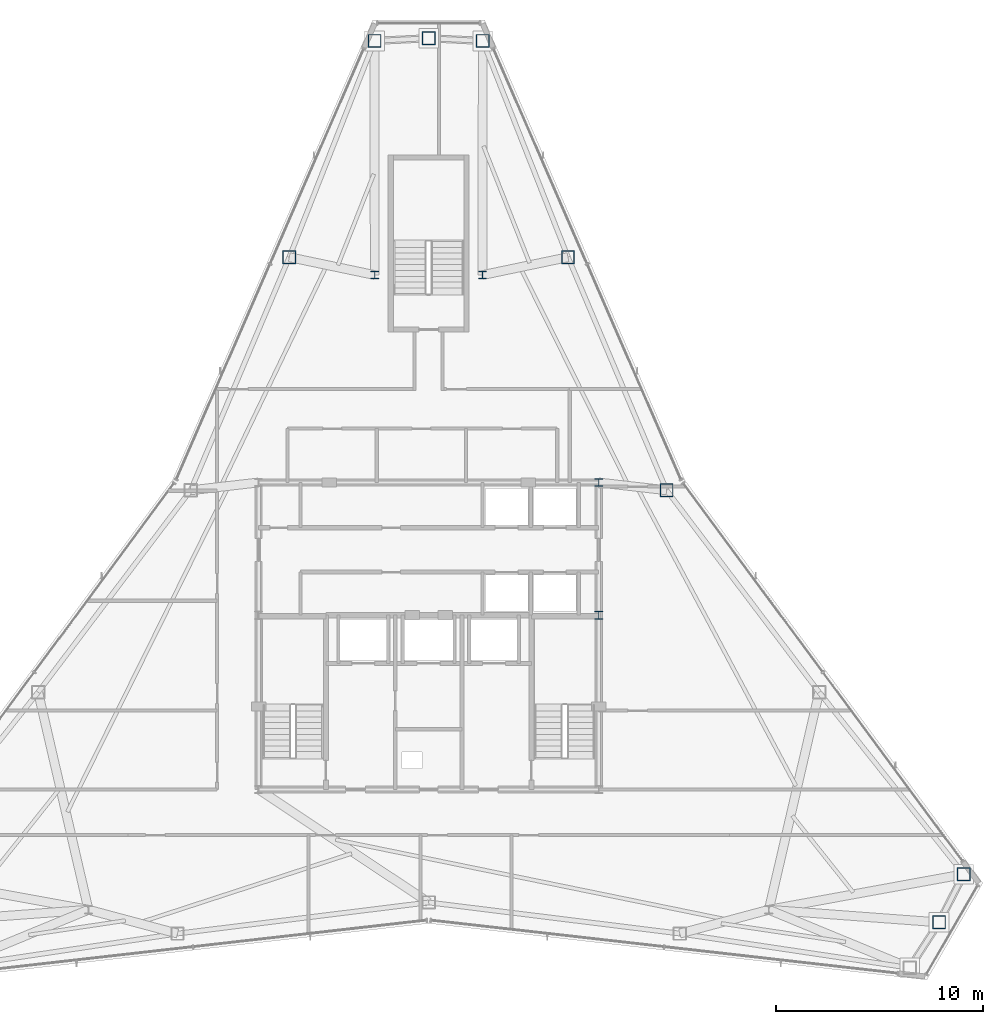
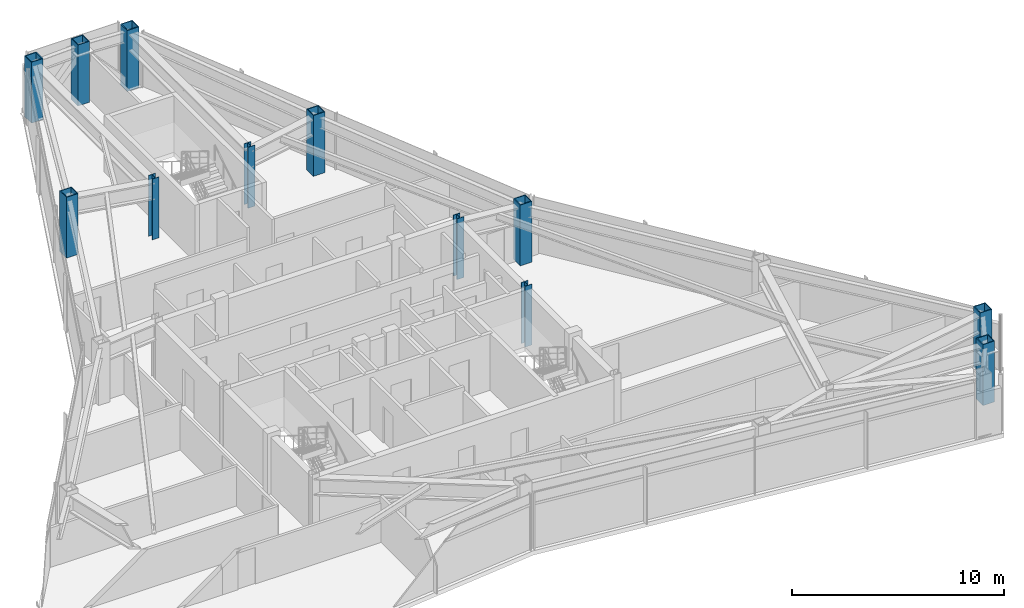
# One storey, part 2 of 12: 12 columns.
"""IFC4 building model written with IfcOpenShell, lengths in metres."""

import ifcopenshell
import ifcopenshell.guid

model = None  # the IFC model being written
_history = None  # IfcOwnerHistory: only IFC2X3 demands one
_inside = {}  # id of a spatial element -> (the spatial element, [elements in it])
_under = {}  # id of a project, library or spatial element -> (it, [spatial elements below it])
_declared = {}  # id of a project -> (the project, [libraries it declares])
_typed = {}  # id of a type object -> (the type object, [elements of that type])
_made_of = {}  # id of a material, layer set ... -> (it, [elements and type objects made of it])


def new_model(schema):
    """Start an empty IFC model of exactly this schema.

    Asked for "IFC4X3", IfcOpenShell would pick the latest addendum, in which some entities
    have other attributes; the version numbers below select the first issue.
    IFC2X3 requires an IfcOwnerHistory on every rooted entity: one is made here for all.
    """
    global model, _history
    if schema == "IFC4X3":
        model = ifcopenshell.file(schema_version=(4, 3, 0, 0))
    else:
        model = ifcopenshell.file(schema=schema)
    _inside.clear()
    _under.clear()
    _declared.clear()
    _typed.clear()
    _made_of.clear()
    _history = None
    if model.schema == "IFC2X3":
        org = make("IfcOrganization", Name="unknown")
        user = make(
            "IfcPersonAndOrganization",
            ThePerson=make("IfcPerson", FamilyName="unknown"),
            TheOrganization=org,
        )
        app = make(
            "IfcApplication",
            ApplicationDeveloper=org,
            Version="unknown",
            ApplicationFullName="unknown",
            ApplicationIdentifier="unknown",
        )
        _history = make(
            "IfcOwnerHistory",
            OwningUser=user,
            OwningApplication=app,
            ChangeAction="ADDED",
            CreationDate=0,
        )
    return model


def make(cls, **values):
    """One entity of the class cls with the attributes given. An attribute that is None is left unset."""
    return model.create_entity(
        cls, **{name: value for name, value in values.items() if value is not None}
    )


def rooted(cls, **values):
    """An entity with a GlobalId (a new one), such as an element, a storey or a relation."""
    return make(cls, GlobalId=ifcopenshell.guid.new(), OwnerHistory=_history, **values)


def si_unit(unit_type, name, prefix=None):
    """IfcSIUnit, for example si_unit("LENGTHUNIT", "METRE", prefix="MILLI")."""
    return make("IfcSIUnit", UnitType=unit_type, Prefix=prefix, Name=name)


def assignment(units):
    """IfcUnitAssignment: the units of a project."""
    return None if units is None else make("IfcUnitAssignment", Units=units)


def point(xyz):
    """IfcCartesianPoint."""
    return None if xyz is None else make("IfcCartesianPoint", Coordinates=xyz)


def direction(xyz):
    """IfcDirection."""
    return None if xyz is None else make("IfcDirection", DirectionRatios=xyz)


def frame(location, z_axis=None, x_axis=None):
    """IfcAxis2Placement3D, a coordinate frame: its origin and axes. An axis left out is left unset."""
    return make(
        "IfcAxis2Placement3D",
        Location=point(location),
        Axis=direction(z_axis),
        RefDirection=direction(x_axis),
    )


def frame_2d(location, x_axis=None):
    """IfcAxis2Placement2D, a coordinate frame in the plane: its origin and x axis."""
    return make(
        "IfcAxis2Placement2D", Location=point(location), RefDirection=direction(x_axis)
    )


def origin():
    """The frame at (0, 0, 0) with its axes left unset."""
    return frame((0.0, 0.0, 0.0))


def origin_2d():
    """The frame at (0, 0) in the plane with its x axis left unset."""
    return frame_2d((0.0, 0.0))


def place(relative_to, where):
    """IfcLocalPlacement: puts the frame where relative to a parent placement (None: the world)."""
    return make(
        "IfcLocalPlacement", PlacementRelTo=relative_to, RelativePlacement=where
    )


def context(
    kind, dimensions, precision=None, world=None, true_north=None, identifier=None
):
    """IfcGeometricRepresentationContext, for example the 3D "Model" context."""
    return make(
        "IfcGeometricRepresentationContext",
        ContextIdentifier=identifier,
        ContextType=kind,
        CoordinateSpaceDimension=dimensions,
        Precision=precision,
        WorldCoordinateSystem=world,
        TrueNorth=true_north,
    )


def subcontext(parent, identifier, kind, view, scale=None):
    """IfcGeometricRepresentationSubContext, for example "Body" below "Model"."""
    return make(
        "IfcGeometricRepresentationSubContext",
        ContextIdentifier=identifier,
        ContextType=kind,
        ParentContext=parent,
        TargetScale=scale,
        TargetView=view,
    )


def project(units=None, contexts=None):
    """IfcProject with its units and contexts."""
    return rooted(
        "IfcProject",
        Name="project",
        RepresentationContexts=contexts,
        UnitsInContext=assignment(units),
    )


def spatial(cls, under=None, at=None, **own):
    """A site, building, storey or space (cls), placed at a placement, below another one or the project."""
    s = rooted(cls, ObjectPlacement=at, **own)
    if under is not None:
        _under.setdefault(under.id(), (under, []))[1].append(s)
    return s


def profile(cls, at=None, kind="AREA", **sizes):
    """A parametric profile (cls). Its sizes go by their IFC names, for example OverallWidth=200.0."""
    return make(cls, ProfileType=kind, Position=at, **sizes)


def hollow_rectangle(**sizes):
    """IfcRectangleHollowProfileDef."""
    return profile("IfcRectangleHollowProfileDef", **sizes)


def i_section(**sizes):
    """IfcIShapeProfileDef."""
    return profile("IfcIShapeProfileDef", **sizes)


def extrude(swept, where, along, depth):
    """IfcExtrudedAreaSolid: the profile swept, set in the frame where, extruded along a direction by depth."""
    return make(
        "IfcExtrudedAreaSolid",
        SweptArea=swept,
        Position=where,
        ExtrudedDirection=direction(along),
        Depth=depth,
    )


def shape(context_of_items, identifier, shape_type, items):
    """IfcShapeRepresentation: the items that make up one representation, for example the "Body"."""
    return make(
        "IfcShapeRepresentation",
        ContextOfItems=context_of_items,
        RepresentationIdentifier=identifier,
        RepresentationType=shape_type,
        Items=items,
    )


def material(Name=None, Category=None):
    """IfcMaterial."""
    return make("IfcMaterial", Name=Name, Category=Category)


def material_profile(
    of_material, cross_section, Name=None, Category=None, Priority=None
):
    """IfcMaterialProfile: a cross section and its material."""
    return make(
        "IfcMaterialProfile",
        Name=Name,
        Material=of_material,
        Profile=cross_section,
        Priority=Priority,
        Category=Category,
    )


def profile_set(profiles, Name=None, composite=None):
    """IfcMaterialProfileSet."""
    return make(
        "IfcMaterialProfileSet",
        Name=Name,
        MaterialProfiles=profiles,
        CompositeProfile=composite,
    )


def made_of(thing, what):
    """Note that an element or type object is made of a material, layer set ...; save() writes the relation."""
    if what is not None:
        _made_of.setdefault(what.id(), (what, []))[1].append(thing)
    return thing


def type_object(cls, material=None, **own):
    """A type object (cls), such as IfcWallType, which elements share."""
    return made_of(rooted(cls, **own), material)


def element(
    cls,
    number,
    at=None,
    inside=None,
    cuts=None,
    type_object=None,
    material=None,
    context=None,
    identifier="Body",
    shape_type=None,
    held_by="IfcProductDefinitionShape",
    body=None,
    shapes=None,
    **own,
):
    """One element of the class cls, such as IfcWall. Its Tag is "e" and its number.

    at: its placement. inside: the storey or other place that contains it. cuts: it is an
    opening in that element (IfcRelVoidsElement). A single representation is given by context,
    identifier, shape_type and body (its items); several are given by shapes. held_by: the class
    of the entity that holds the representations. save() writes the other relations.
    """
    e = rooted(cls, Tag="e%d" % number, ObjectPlacement=at, **own)
    if body is not None:
        shapes = [shape(context, identifier, shape_type, body)]
    if shapes is not None:
        e.Representation = make(held_by, Representations=shapes)
    if inside is not None:
        _inside.setdefault(inside.id(), (inside, []))[1].append(e)
    if cuts is not None:
        rooted(
            "IfcRelVoidsElement", RelatingBuildingElement=cuts, RelatedOpeningElement=e
        )
    if type_object is not None:
        _typed.setdefault(type_object.id(), (type_object, []))[1].append(e)
    return made_of(e, material)


def aggregate(whole, parts):
    """IfcRelAggregates: a whole, such as a stair, and the parts it consists of."""
    return rooted("IfcRelAggregates", RelatingObject=whole, RelatedObjects=parts)


def save(model, path):
    """Write the relations noted so far, then the file.

    IfcRelAggregates (storeys below a building ...), IfcRelContainedInSpatialStructure (elements
    in a storey), IfcRelDefinesByType, IfcRelAssociatesMaterial and IfcRelDeclares: one each for
    every whole, place, type object, material and project.
    """
    for whole, parts in _under.values():
        aggregate(whole, parts)
    for where, things in _inside.values():
        rooted(
            "IfcRelContainedInSpatialStructure",
            RelatedElements=things,
            RelatingStructure=where,
        )
    for kind, things in _typed.values():
        rooted("IfcRelDefinesByType", RelatedObjects=things, RelatingType=kind)
    for what, things in _made_of.values():
        rooted("IfcRelAssociatesMaterial", RelatedObjects=things, RelatingMaterial=what)
    for by, libraries in _declared.values():
        rooted("IfcRelDeclares", RelatingContext=by, RelatedDefinitions=libraries)
    model.write(path)


model = new_model("IFC4")

# Units and contexts
model_context = context("Model", 3, precision=1e-05, world=origin(), true_north=direction((0.0, 1.0)))
body_context = subcontext(model_context, "Body", "Model", "MODEL_VIEW")
ifc_project = project(units=[si_unit("LENGTHUNIT", "METRE"), si_unit("AREAUNIT", "SQUARE_METRE"), si_unit("VOLUMEUNIT", "CUBIC_METRE"), si_unit("PLANEANGLEUNIT", "RADIAN"), si_unit("MASSUNIT", "GRAM", prefix="KILO")], contexts=[model_context])

# Site, building, storey
site_placement = place(None, origin())
site = spatial("IfcSite", under=ifc_project, at=site_placement, CompositionType="ELEMENT")
building_placement = place(site_placement, origin())
building = spatial("IfcBuilding", under=site, at=building_placement, Name="Varakhsha Concourse Tower", CompositionType="ELEMENT")
storey_placement = place(building_placement, frame((0.0, 0.0, 283.0)))
storey = spatial("IfcBuildingStorey", under=building, at=storey_placement, Name="L80", CompositionType="ELEMENT", Elevation=283.0)

# Columns
ifc_material_1 = material(Name="Structural Steel ASTM A992 Grade 50", Category="steel")
ifc_material_profile_1 = material_profile(ifc_material_1, i_section(OverallWidth=0.3740234375, OverallDepth=0.3720703125, WebThickness=0.01611328125, FlangeThickness=0.02587890625, at=origin_2d()), Name="W14X132")
ifc_profile_set_1 = profile_set([ifc_material_profile_1], Name="Structural Steel ASTM A992 Grade 50")
column_type_1 = type_object("IfcColumnType", Name="CL-CORE-W14X132", PredefinedType="COLUMN", material=ifc_profile_set_1)
for number, where, z_axis, x_axis, name in (
    (1, (48.199951171875, 24.800048828125, 0.0), (0.0, 0.0, 1.0), (1.0, 0.0, 0.0), "L80 Core Column CC-ME"),
    (2, (48.199951171875, 31.199951171875, 0.0), (0.0, 0.0, 1.0), (1.0, 0.0, 0.0), "L80 Core Column CC-NE"),
    (3, (37.39990234375, 41.199951171875, 0.0), (0.0, 0.0, 1.0), (1.0, 0.0, 0.0), "L80 Core Column NS-W"),
    (4, (42.60009765625, 41.199951171875, 0.0), (0.0, 0.0, 1.0), (1.0, 0.0, 0.0), "L80 Core Column NS-E"),
):
    element("IfcColumn", number, at=place(storey_placement, frame(where, z_axis=z_axis, x_axis=x_axis)), inside=storey, type_object=column_type_1, Name=name, PredefinedType="COLUMN", context=body_context, shape_type="SweptSolid", body=[
        extrude(i_section(OverallWidth=0.3740234375, OverallDepth=0.3720703125, WebThickness=0.01611328125, FlangeThickness=0.02587890625, at=origin_2d()), origin(), (0.0, 0.0, 1.0), 3.5),
    ])
ifc_material_2 = material(Name="Structural Steel ASTM A572 Grade 50", Category="steel")
ifc_material_profile_2 = material_profile(ifc_material_2, hollow_rectangle(XDim=0.639892578125, YDim=0.639892578125, WallThickness=0.044921875, at=origin_2d()), Name="BOX 640x640x45")
ifc_profile_set_2 = profile_set([ifc_material_profile_2], Name="Structural Steel ASTM A572 Grade 50")
column_type_2 = type_object("IfcColumnType", Name="CL-TUBE-640", PredefinedType="COLUMN", material=ifc_profile_set_2)
for number, where, z_axis, x_axis, name in (
    (5, (42.607177734375, 52.489013671875, 0.0), (0.0, 0.0, 1.0), (1.0, 0.0, 0.0), "L80 Framed-Tube Column TC01"),
    (6, (40.0, 52.61669921875, 0.0), (0.0, 0.0, 1.0), (1.0, 0.0, 0.0), "L80 Framed-Tube Column TC02"),
    (7, (37.392822265625, 52.489013671875, 0.0), (0.0, 0.0, 1.0), (1.0, 0.0, 0.0), "L80 Framed-Tube Column TC03"),
    (8, (33.28271484375, 42.06201171875, 0.0), (0.0, 0.0, 1.0), (1.0, 0.0, 0.0), "L80 Framed-Tube Column TC04"),
    (9, (64.609619140625, 9.99169921875, 0.0), (0.0, 0.0, 1.0), (1.0, 0.0, 0.0), "L80 Framed-Tube Column TC14"),
    (10, (65.802490234375, 12.313232421875, 0.0), (0.0, 0.0, 1.0), (1.0, 0.0, 0.0), "L80 Framed-Tube Column TC15"),
    (11, (51.471923828125, 30.8232421875, 0.0), (0.0, 0.0, 1.0), (1.0, 0.0, 0.0), "L80 Framed-Tube Column TC17"),
    (12, (46.71728515625, 42.06201171875, 0.0), (0.0, 0.0, 1.0), (1.0, 0.0, 0.0), "L80 Framed-Tube Column TC18"),
):
    element("IfcColumn", number, at=place(storey_placement, frame(where, z_axis=z_axis, x_axis=x_axis)), inside=storey, type_object=column_type_2, Name=name, PredefinedType="COLUMN", context=body_context, shape_type="SweptSolid", body=[
        extrude(hollow_rectangle(XDim=0.639892578125, YDim=0.639892578125, WallThickness=0.044921875, at=origin_2d()), origin(), (0.0, 0.0, 1.0), 3.5),
    ])

save(model, "model.ifc")
